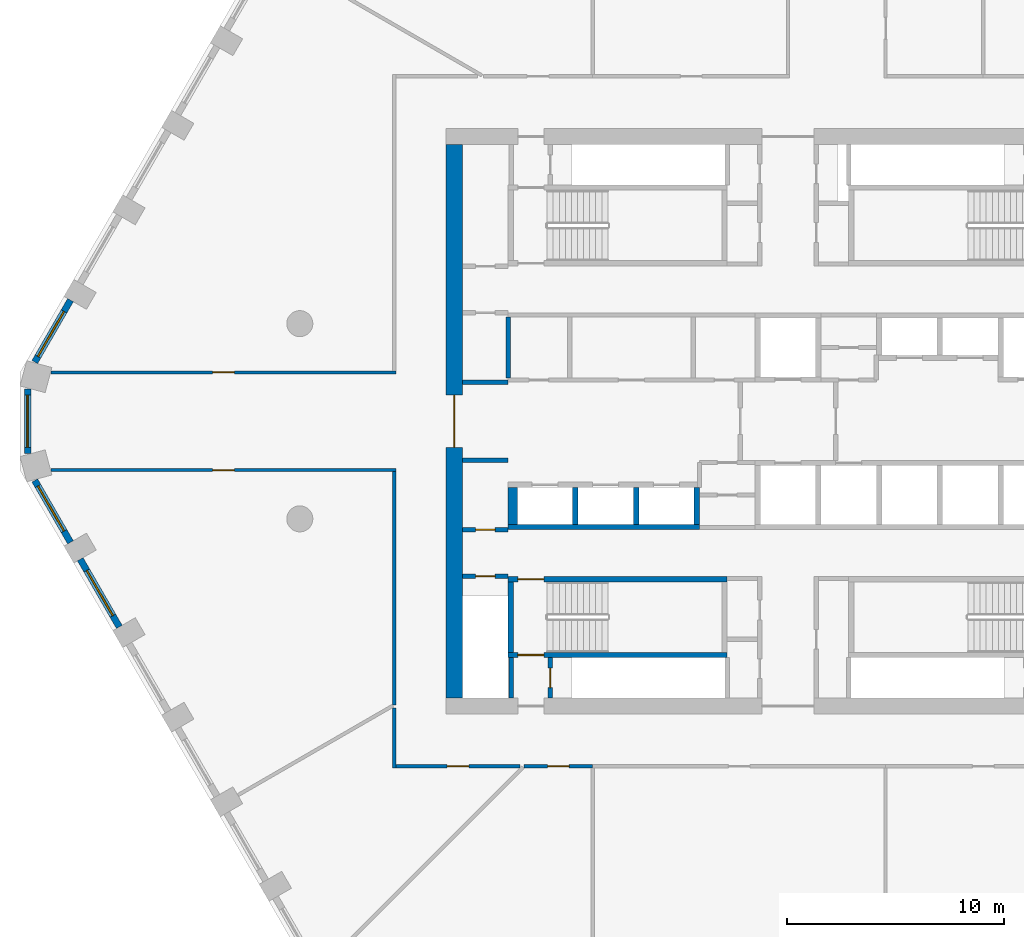
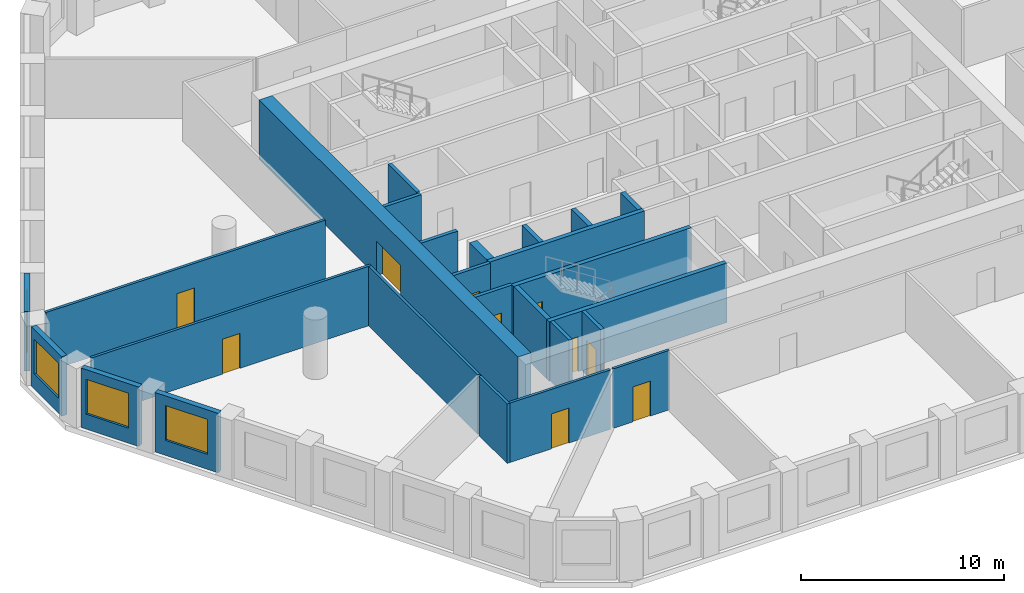
# One storey, part 2 of 9: 26 walls, 10 doors, 4 windows, 14 openings.
"""IFC4 building model written with IfcOpenShell, lengths in metres."""

from ifc_helpers import new_model, si_unit, direction, frame, frame_2d, origin, place, context, subcontext, project, spatial, polyline, rectangle, outline, extrude, material, layer, layer_set, type_object, element, fill, save


model = new_model("IFC4")

# Units and contexts
model_context = context("Model", 3, precision=1e-05, world=origin(), true_north=direction((0.0, 1.0)))
body_context = subcontext(model_context, "Body", "Model", "MODEL_VIEW")
ifc_project = project(units=[si_unit("LENGTHUNIT", "METRE"), si_unit("AREAUNIT", "SQUARE_METRE"), si_unit("VOLUMEUNIT", "CUBIC_METRE"), si_unit("PLANEANGLEUNIT", "RADIAN"), si_unit("MASSUNIT", "GRAM", prefix="KILO")], contexts=[model_context])

# Site, building, storey
site_placement = place(None, origin())
site = spatial("IfcSite", under=ifc_project, at=site_placement, CompositionType="ELEMENT")
building_placement = place(site_placement, origin())
building = spatial("IfcBuilding", under=site, at=building_placement, Name="Dhurran Vertical Campus", CompositionType="ELEMENT")
storey_placement = place(building_placement, frame((0.0, 0.0, 163.800048828125)))
storey = spatial("IfcBuildingStorey", under=building, at=storey_placement, Name="L40", CompositionType="ELEMENT", Elevation=163.800048828125)

# Wall, opening, window
ifc_material_1 = material(Name="Precast concrete C50/60", Category="concrete")
ifc_layer_1 = layer(ifc_material_1, 0.300048828125)
ifc_layer_set_1 = layer_set([ifc_layer_1], Name="Precast concrete C50/60")
wall_type_1 = type_object("IfcWallType", Name="Precast spandrel wall 300", PredefinedType="SOLIDWALL", material=ifc_layer_set_1)
wall_1_placement = place(storey_placement, frame((-33.0693359375, 5.58203125, 0.0), z_axis=(0.0, 0.0, 1.0), x_axis=(-0.499981217486, -0.866036247602, 0.0)))
wall_1 = element("IfcWall", 1, at=wall_1_placement, inside=storey, type_object=wall_type_1, Name="EW1 L40.37", PredefinedType="SOLIDWALL", context=body_context, shape_type="SweptSolid", body=[
    extrude(rectangle(XDim=3.294189453125, YDim=0.300048828125, at=frame_2d((1.64697265625, 0.0))), origin(), (0.0, 0.0, 1.0), 3.574951171875),
])
opening_1_placement = place(wall_1_placement, frame((0.599609375, 0.0, 0.89990234375)))
opening_1 = element("IfcOpeningElement", 2, at=opening_1_placement, cuts=wall_1, Name="Opening WT1", PredefinedType="OPENING", context=body_context, shape_type="SweptSolid", body=[
    extrude(rectangle(XDim=2.39990234375, YDim=2.10009765625, at=frame_2d((1.199951171875, 1.050048828125))), frame((0.0, 0.159912109375, 0.0), z_axis=(0.0, -1.0, 0.0), x_axis=(1.0, 0.0, 0.0)), (0.0, 0.0, 1.0), 0.320068359375),
])
ifc_material_2 = material(Name="Aluminium frame with solar-control glass", Category="aluminium")
window_type = type_object("IfcWindowType", Name="Punched window 2400 x 2100", PartitioningType="SINGLE_PANEL", PredefinedType="WINDOW", material=ifc_material_2)
window_1_placement = place(opening_1_placement, origin())
window_1 = element("IfcWindow", 3, at=window_1_placement, inside=storey, type_object=window_type, Name="WT1 L40.37", OverallHeight=2.10009765625, OverallWidth=2.39990234375, PartitioningType="SINGLE_PANEL", PredefinedType="WINDOW", context=body_context, shape_type="SweptSolid", body=[
    extrude(rectangle(XDim=2.39990234375, YDim=2.10009765625, at=frame_2d((1.199951171875, 1.050048828125))), frame((0.0, 0.030029296875, 0.0), z_axis=(0.0, -1.0, 0.0), x_axis=(1.0, 0.0, 0.0)), (0.0, 0.0, 1.0), 0.06005859375),
])
fill(opening_1, window_1)

wall_2_placement = place(storey_placement, frame((-35.047119140625, 1.49462890625, 0.0), z_axis=(0.0, 0.0, 1.0), x_axis=(0.0, -1.0, 0.0)))
wall_2 = element("IfcWall", 4, at=wall_2_placement, inside=storey, type_object=wall_type_1, Name="EW1 L40.38", PredefinedType="SOLIDWALL", context=body_context, shape_type="SweptSolid", body=[
    extrude(rectangle(XDim=2.9892578125, YDim=0.300048828125, at=frame_2d((1.49462890625, 0.0))), origin(), (0.0, 0.0, 1.0), 3.574951171875),
])
opening_2_placement = place(wall_2_placement, frame((0.294677734375, 0.0, 0.89990234375)))
opening_2 = element("IfcOpeningElement", 5, at=opening_2_placement, cuts=wall_2, Name="Opening WT1", PredefinedType="OPENING", context=body_context, shape_type="SweptSolid", body=[
    extrude(rectangle(XDim=2.39990234375, YDim=2.10009765625, at=frame_2d((1.199951171875, 1.050048828125))), frame((0.0, 0.159912109375, 0.0), z_axis=(0.0, -1.0, 0.0), x_axis=(1.0, 0.0, 0.0)), (0.0, 0.0, 1.0), 0.320068359375),
])
window_2_placement = place(opening_2_placement, origin())
window_2 = element("IfcWindow", 6, at=window_2_placement, inside=storey, type_object=window_type, Name="WT1 L40.38", OverallHeight=2.10009765625, OverallWidth=2.39990234375, PartitioningType="SINGLE_PANEL", PredefinedType="WINDOW", context=body_context, shape_type="SweptSolid", body=[
    extrude(rectangle(XDim=2.39990234375, YDim=2.10009765625, at=frame_2d((1.199951171875, 1.050048828125))), frame((0.0, 0.030029296875, 0.0), z_axis=(0.0, -1.0, 0.0), x_axis=(1.0, 0.0, 0.0)), (0.0, 0.0, 1.0), 0.06005859375),
])
fill(opening_2, window_2)

wall_3_placement = place(storey_placement, frame((-34.71630859375, -2.729248046875, 0.0), z_axis=(0.0, 0.0, 1.0), x_axis=(0.499981217486, -0.866036247602, 0.0)))
wall_3 = element("IfcWall", 7, at=wall_3_placement, inside=storey, type_object=wall_type_1, Name="EW1 L40.39", PredefinedType="SOLIDWALL", context=body_context, shape_type="SweptSolid", body=[
    extrude(rectangle(XDim=3.294189453125, YDim=0.300048828125, at=frame_2d((1.64697265625, 0.0))), origin(), (0.0, 0.0, 1.0), 3.574951171875),
])
opening_3_placement = place(wall_3_placement, frame((0.294677734375, 0.0, 0.89990234375)))
opening_3 = element("IfcOpeningElement", 8, at=opening_3_placement, cuts=wall_3, Name="Opening WT1", PredefinedType="OPENING", context=body_context, shape_type="SweptSolid", body=[
    extrude(rectangle(XDim=2.39990234375, YDim=2.10009765625, at=frame_2d((1.199951171875, 1.050048828125))), frame((0.0, 0.159912109375, 0.0), z_axis=(0.0, -1.0, 0.0), x_axis=(1.0, 0.0, 0.0)), (0.0, 0.0, 1.0), 0.320068359375),
])
window_3_placement = place(opening_3_placement, origin())
window_3 = element("IfcWindow", 9, at=window_3_placement, inside=storey, type_object=window_type, Name="WT1 L40.39", OverallHeight=2.10009765625, OverallWidth=2.39990234375, PartitioningType="SINGLE_PANEL", PredefinedType="WINDOW", context=body_context, shape_type="SweptSolid", body=[
    extrude(rectangle(XDim=2.39990234375, YDim=2.10009765625, at=frame_2d((1.199951171875, 1.050048828125))), frame((0.0, 0.030029296875, 0.0), z_axis=(0.0, -1.0, 0.0), x_axis=(1.0, 0.0, 0.0)), (0.0, 0.0, 1.0), 0.06005859375),
])
fill(opening_3, window_3)

wall_4_placement = place(storey_placement, frame((-32.618896484375, -6.3623046875, 0.0), z_axis=(0.0, 0.0, 1.0), x_axis=(0.500027802648, -0.866009351323, 0.0)))
wall_4 = element("IfcWall", 10, at=wall_4_placement, inside=storey, type_object=wall_type_1, Name="EW1 L40.40", PredefinedType="SOLIDWALL", context=body_context, shape_type="SweptSolid", body=[
    extrude(rectangle(XDim=3.598876953125, YDim=0.300048828125, at=frame_2d((1.79931640625, 0.0))), origin(), (0.0, 0.0, 1.0), 3.574951171875),
])
opening_4_placement = place(wall_4_placement, frame((0.599609375, 0.0, 0.89990234375)))
opening_4 = element("IfcOpeningElement", 11, at=opening_4_placement, cuts=wall_4, Name="Opening WT1", PredefinedType="OPENING", context=body_context, shape_type="SweptSolid", body=[
    extrude(rectangle(XDim=2.39990234375, YDim=2.10009765625, at=frame_2d((1.199951171875, 1.050048828125))), frame((0.0, 0.159912109375, 0.0), z_axis=(0.0, -1.0, 0.0), x_axis=(1.0, 0.0, 0.0)), (0.0, 0.0, 1.0), 0.320068359375),
])
window_4_placement = place(opening_4_placement, origin())
window_4 = element("IfcWindow", 12, at=window_4_placement, inside=storey, type_object=window_type, Name="WT1 L40.40", OverallHeight=2.10009765625, OverallWidth=2.39990234375, PartitioningType="SINGLE_PANEL", PredefinedType="WINDOW", context=body_context, shape_type="SweptSolid", body=[
    extrude(rectangle(XDim=2.39990234375, YDim=2.10009765625, at=frame_2d((1.199951171875, 1.050048828125))), frame((0.0, 0.030029296875, 0.0), z_axis=(0.0, -1.0, 0.0), x_axis=(1.0, 0.0, 0.0)), (0.0, 0.0, 1.0), 0.06005859375),
])
fill(opening_4, window_4)

# Wall, opening, door
ifc_material_3 = material(Name="Concrete C60/75", Category="concrete")
ifc_layer_2 = layer(ifc_material_3, 0.75)
ifc_layer_set_2 = layer_set([ifc_layer_2], Name="Concrete C60/75")
wall_type_2 = type_object("IfcWallType", Name="co-CORE-WALL-C1-750", PredefinedType="SHEAR", material=ifc_layer_set_2)
wall_5_placement = place(storey_placement, frame((-15.375, -12.75, 0.0), z_axis=(0.0, 0.0, 1.0), x_axis=(0.0, 1.0, 0.0)))
wall_5 = element("IfcWall", 13, at=wall_5_placement, inside=storey, type_object=wall_type_2, Name="Core wall W L40", PredefinedType="SHEAR", context=body_context, shape_type="SweptSolid", body=[
    extrude(rectangle(XDim=25.5, YDim=0.75, at=frame_2d((12.75, 0.0))), origin(), (0.0, 0.0, 1.0), 3.574951171875),
])
opening_5_placement = place(wall_5_placement, frame((11.550048828125, 0.0, 0.0)))
opening_5 = element("IfcOpeningElement", 14, at=opening_5_placement, cuts=wall_5, Name="Opening CL1", PredefinedType="OPENING", context=body_context, shape_type="SweptSolid", body=[
    extrude(rectangle(XDim=2.39990234375, YDim=2.10009765625, at=frame_2d((1.199951171875, 1.050048828125))), frame((0.0, 0.385009765625, 0.0), z_axis=(0.0, -1.0, 0.0), x_axis=(1.0, 0.0, 0.0)), (0.0, 0.0, 1.0), 0.77001953125),
])
ifc_material_4 = material(Name="Fire-rated glazed door set")
door_type_1 = type_object("IfcDoorType", Name="co-D-LOBBY 2400x2100", OperationType="DOUBLE_DOOR_DOUBLE_SWING", PredefinedType="DOOR", material=ifc_material_4)
door_1_placement = place(opening_5_placement, origin())
door_1 = element("IfcDoor", 15, at=door_1_placement, inside=storey, type_object=door_type_1, Name="Lift lobby door W L40", OperationType="DOUBLE_DOOR_DOUBLE_SWING", OverallHeight=2.10009765625, OverallWidth=2.39990234375, PredefinedType="DOOR", context=body_context, shape_type="SweptSolid", body=[
    extrude(rectangle(XDim=2.39990234375, YDim=2.10009765625, at=frame_2d((1.199951171875, 1.050048828125))), frame((0.0, 0.02490234375, 0.0), z_axis=(0.0, -1.0, 0.0), x_axis=(1.0, 0.0, 0.0)), (0.0, 0.0, 1.0), 0.050048828125),
])
fill(opening_5, door_1)

# Wall
ifc_material_5 = material(Name="Fire-rated masonry blockwork", Category="masonry")
ifc_layer_3 = layer(ifc_material_5, 0.199951171875)
ifc_layer_set_3 = layer_set([ifc_layer_3], Name="Fire-rated masonry blockwork")
wall_type_3 = type_object("IfcWallType", Name="co-FIRE-PARTITION-200", PredefinedType="PARTITIONING", material=ifc_layer_set_3)
wall_6_placement = place(storey_placement, frame((-12.75, -12.75, 0.0), z_axis=(0.0, 0.0, 1.0), x_axis=(0.0, 1.0, 0.0)))
element("IfcWall", 16, at=wall_6_placement, inside=storey, type_object=wall_type_3, Name="Core partition pass-ST3-o L40", PredefinedType="PARTITIONING", context=body_context, shape_type="SweptSolid", body=[
    extrude(rectangle(XDim=1.85009765625, YDim=0.199951171875, at=frame_2d((0.925048828125, 0.0))), origin(), (0.0, 0.0, 1.0), 3.574951171875),
])

# Wall, opening, door
wall_7_placement = place(storey_placement, frame((-10.949951171875, -12.75, 0.0), z_axis=(0.0, 0.0, 1.0), x_axis=(0.0, 1.0, 0.0)))
wall_7 = element("IfcWall", 17, at=wall_7_placement, inside=storey, type_object=wall_type_3, Name="Core partition pass-ST3-i L40", PredefinedType="PARTITIONING", context=body_context, shape_type="SweptSolid", body=[
    extrude(rectangle(XDim=1.85009765625, YDim=0.199951171875, at=frame_2d((0.925048828125, 0.0))), origin(), (0.0, 0.0, 1.0), 3.574951171875),
])
opening_6_placement = place(wall_7_placement, frame((0.47509765625, 0.0, 0.0)))
opening_6 = element("IfcOpeningElement", 18, at=opening_6_placement, cuts=wall_7, Name="Opening T11-C10", PredefinedType="OPENING", context=body_context, shape_type="SweptSolid", body=[
    extrude(rectangle(XDim=0.89990234375, YDim=2.10009765625, at=frame_2d((0.449951171875, 1.050048828125))), frame((0.0, 0.10986328125, 0.0), z_axis=(0.0, -1.0, 0.0), x_axis=(1.0, 0.0, 0.0)), (0.0, 0.0, 1.0), 0.219970703125),
])
ifc_material_6 = material(Name="Fire-rated timber door set", Category="wood")
door_type_2 = type_object("IfcDoorType", Name="co-D-ROOM 900x2100", OperationType="SINGLE_SWING_LEFT", PredefinedType="DOOR", material=ifc_material_6)
door_2_placement = place(opening_6_placement, origin())
door_2 = element("IfcDoor", 19, at=door_2_placement, inside=storey, type_object=door_type_2, Name="Riser room door L40", OperationType="SINGLE_SWING_LEFT", OverallHeight=2.10009765625, OverallWidth=0.89990234375, PredefinedType="DOOR", context=body_context, shape_type="SweptSolid", body=[
    extrude(rectangle(XDim=0.89990234375, YDim=2.10009765625, at=frame_2d((0.449951171875, 1.050048828125))), frame((0.0, 0.02490234375, 0.0), z_axis=(0.0, -1.0, 0.0), x_axis=(1.0, 0.0, 0.0)), (0.0, 0.0, 1.0), 0.050048828125),
])
fill(opening_6, door_2)

# Wall
wall_8_placement = place(storey_placement, frame((-15.0, 1.800048828125, 0.0), z_axis=(0.0, 0.0, 1.0), x_axis=(1.0, 0.0, 0.0)))
element("IfcWall", 20, at=wall_8_placement, inside=storey, type_object=wall_type_3, Name="Core partition es-NW-l L40", PredefinedType="PARTITIONING", context=body_context, shape_type="SweptSolid", body=[
    extrude(rectangle(XDim=2.10009765625, YDim=0.199951171875, at=frame_2d((1.050048828125, 0.0))), origin(), (0.0, 0.0, 1.0), 3.574951171875),
])

# Wall, opening, door
wall_9_placement = place(storey_placement, frame((-15.0, -7.14990234375, 0.0), z_axis=(0.0, 0.0, 1.0), x_axis=(1.0, 0.0, 0.0)))
wall_9 = element("IfcWall", 21, at=wall_9_placement, inside=storey, type_object=wall_type_3, Name="Core partition en-SW-w L40", PredefinedType="PARTITIONING", context=body_context, shape_type="SweptSolid", body=[
    extrude(rectangle(XDim=2.10009765625, YDim=0.199951171875, at=frame_2d((1.050048828125, 0.0))), origin(), (0.0, 0.0, 1.0), 3.574951171875),
])
opening_7_placement = place(wall_9_placement, frame((0.60009765625, 0.0, 0.0)))
opening_7 = element("IfcOpeningElement", 22, at=opening_7_placement, cuts=wall_9, Name="Opening T11-C16", PredefinedType="OPENING", context=body_context, shape_type="SweptSolid", body=[
    extrude(rectangle(XDim=0.89990234375, YDim=2.10009765625, at=frame_2d((0.449951171875, 1.050048828125))), frame((0.0, 0.10986328125, 0.0), z_axis=(0.0, -1.0, 0.0), x_axis=(1.0, 0.0, 0.0)), (0.0, 0.0, 1.0), 0.219970703125),
])
door_3_placement = place(opening_7_placement, origin())
door_3 = element("IfcDoor", 23, at=door_3_placement, inside=storey, type_object=door_type_2, Name="Electrical riser door L40", OperationType="SINGLE_SWING_LEFT", OverallHeight=2.10009765625, OverallWidth=0.89990234375, PredefinedType="DOOR", context=body_context, shape_type="SweptSolid", body=[
    extrude(rectangle(XDim=0.89990234375, YDim=2.10009765625, at=frame_2d((0.449951171875, 1.050048828125))), frame((0.0, 0.02490234375, 0.0), z_axis=(0.0, -1.0, 0.0), x_axis=(1.0, 0.0, 0.0)), (0.0, 0.0, 1.0), 0.050048828125),
])
fill(opening_7, door_3)

wall_10_placement = place(storey_placement, frame((-15.0, -5.0, 0.0), z_axis=(0.0, 0.0, 1.0), x_axis=(1.0, 0.0, 0.0)))
wall_10 = element("IfcWall", 24, at=wall_10_placement, inside=storey, type_object=wall_type_3, Name="Core partition es-SW-w L40", PredefinedType="PARTITIONING", context=body_context, shape_type="SweptSolid", body=[
    extrude(rectangle(XDim=2.10009765625, YDim=0.199951171875, at=frame_2d((1.050048828125, 0.0))), origin(), (0.0, 0.0, 1.0), 3.574951171875),
])
opening_8_placement = place(wall_10_placement, frame((0.60009765625, 0.0, 0.0)))
opening_8 = element("IfcOpeningElement", 25, at=opening_8_placement, cuts=wall_10, Name="Opening T11-C17", PredefinedType="OPENING", context=body_context, shape_type="SweptSolid", body=[
    extrude(rectangle(XDim=0.89990234375, YDim=2.10009765625, at=frame_2d((0.449951171875, 1.050048828125))), frame((0.0, 0.10986328125, 0.0), z_axis=(0.0, -1.0, 0.0), x_axis=(1.0, 0.0, 0.0)), (0.0, 0.0, 1.0), 0.219970703125),
])
door_4_placement = place(opening_8_placement, origin())
door_4 = element("IfcDoor", 26, at=door_4_placement, inside=storey, type_object=door_type_2, Name="Fire equipment store door L40", OperationType="SINGLE_SWING_LEFT", OverallHeight=2.10009765625, OverallWidth=0.89990234375, PredefinedType="DOOR", context=body_context, shape_type="SweptSolid", body=[
    extrude(rectangle(XDim=0.89990234375, YDim=2.10009765625, at=frame_2d((0.449951171875, 1.050048828125))), frame((0.0, 0.02490234375, 0.0), z_axis=(0.0, -1.0, 0.0), x_axis=(1.0, 0.0, 0.0)), (0.0, 0.0, 1.0), 0.050048828125),
])
fill(opening_8, door_4)

# Walls
wall_11_placement = place(storey_placement, frame((-15.0, -1.800048828125, 0.0), z_axis=(0.0, 0.0, 1.0), x_axis=(1.0, 0.0, 0.0)))
element("IfcWall", 27, at=wall_11_placement, inside=storey, type_object=wall_type_3, Name="Core partition es-SW-l L40", PredefinedType="PARTITIONING", context=body_context, shape_type="SweptSolid", body=[
    extrude(rectangle(XDim=2.10009765625, YDim=0.199951171875, at=frame_2d((1.050048828125, 0.0))), origin(), (0.0, 0.0, 1.0), 3.574951171875),
])
wall_12_placement = place(storey_placement, frame((-12.89990234375, 2.0, 0.0), z_axis=(0.0, 0.0, 1.0), x_axis=(0.0, 1.0, 0.0)))
element("IfcWall", 28, at=wall_12_placement, inside=storey, type_object=wall_type_3, Name="Core partition fr-N0-e0 L40", PredefinedType="PARTITIONING", context=body_context, shape_type="SweptSolid", body=[
    extrude(rectangle(XDim=2.800048828125, YDim=0.199951171875, at=frame_2d((1.39990234375, 0.0))), origin(), (0.0, 0.0, 1.0), 3.574951171875),
])
ifc_material_7 = material(Name="Concrete C50/60", Category="concrete")
ifc_layer_4 = layer(ifc_material_7, 0.25)
ifc_layer_set_4 = layer_set([ifc_layer_4], Name="Concrete C50/60")
wall_type_4 = type_object("IfcWallType", Name="co-SHAFT-MASS-250", PredefinedType="SHEAR", material=ifc_layer_set_4)
wall_13_placement = place(storey_placement, origin())
element("IfcWall", 29, at=wall_13_placement, inside=storey, type_object=wall_type_4, Name="Lift shaft wall S L40 1", PredefinedType="SHEAR", context=body_context, shape_type="SweptSolid", body=[
    extrude(outline(polyline([(-12.89990234375, -5.0), (-4.074951171875, -5.0), (-4.074951171875, -4.75), (-12.89990234375, -4.75), (-12.89990234375, -5.0)])), origin(), (0.0, 0.0, 1.0), 3.574951171875),
])
wall_14_placement = place(storey_placement, origin())
element("IfcWall", 30, at=wall_14_placement, inside=storey, type_object=wall_type_4, Name="Lift shaft wall S L40 3", PredefinedType="SHEAR", context=body_context, shape_type="SweptSolid", body=[
    extrude(outline(polyline([(-12.89990234375, -4.75), (-12.47509765625, -4.75), (-12.47509765625, -3.050048828125), (-12.89990234375, -3.050048828125), (-12.89990234375, -4.75)])), origin(), (0.0, 0.0, 1.0), 3.574951171875),
])
wall_15_placement = place(storey_placement, origin())
element("IfcWall", 31, at=wall_15_placement, inside=storey, type_object=wall_type_4, Name="Lift shaft wall S L40 4", PredefinedType="SHEAR", context=body_context, shape_type="SweptSolid", body=[
    extrude(outline(polyline([(-9.925048828125, -4.75), (-9.675048828125, -4.75), (-9.675048828125, -3.050048828125), (-9.925048828125, -3.050048828125), (-9.925048828125, -4.75)])), origin(), (0.0, 0.0, 1.0), 3.574951171875),
])
wall_16_placement = place(storey_placement, origin())
element("IfcWall", 32, at=wall_16_placement, inside=storey, type_object=wall_type_4, Name="Lift shaft wall S L40 5", PredefinedType="SHEAR", context=body_context, shape_type="SweptSolid", body=[
    extrude(outline(polyline([(-7.125, -4.75), (-6.875, -4.75), (-6.875, -3.050048828125), (-7.125, -3.050048828125), (-7.125, -4.75)])), origin(), (0.0, 0.0, 1.0), 3.574951171875),
])
wall_17_placement = place(storey_placement, origin())
element("IfcWall", 33, at=wall_17_placement, inside=storey, type_object=wall_type_4, Name="Lift shaft wall S L40 6", PredefinedType="SHEAR", context=body_context, shape_type="SweptSolid", body=[
    extrude(outline(polyline([(-4.324951171875, -4.75), (-4.074951171875, -4.75), (-4.074951171875, -3.050048828125), (-4.324951171875, -3.050048828125), (-4.324951171875, -4.75)])), origin(), (0.0, 0.0, 1.0), 3.574951171875),
])

# Wall, opening, door
ifc_material_8 = material(Name="Concrete C40/50", Category="concrete")
ifc_layer_5 = layer(ifc_material_8, 0.25)
ifc_layer_set_5 = layer_set([ifc_layer_5], Name="Concrete C40/50")
wall_type_5 = type_object("IfcWallType", Name="co-STAIR-WALL-250", PredefinedType="SHEAR", material=ifc_layer_set_5)
wall_18_placement = place(storey_placement, frame((-12.89990234375, -10.77490234375, 0.0), z_axis=(0.0, 0.0, 1.0), x_axis=(1.0, 0.0, 0.0)))
wall_18 = element("IfcWall", 34, at=wall_18_placement, inside=storey, type_object=wall_type_5, Name="Stair ST3 enclosure wall L40", PredefinedType="SHEAR", context=body_context, shape_type="SweptSolid", body=[
    extrude(rectangle(XDim=10.099853515625, YDim=0.25, at=frame_2d((5.0498046875, 0.0))), origin(), (0.0, 0.0, 1.0), 3.574951171875),
])
opening_9_placement = place(wall_18_placement, frame((0.449951171875, 0.0, 0.0)))
opening_9 = element("IfcOpeningElement", 35, at=opening_9_placement, cuts=wall_18, Name="Opening XS3", PredefinedType="OPENING", context=body_context, shape_type="SweptSolid", body=[
    extrude(rectangle(XDim=1.199951171875, YDim=2.10009765625, at=frame_2d((0.60009765625, 1.050048828125))), frame((0.0, 0.135009765625, 0.0), z_axis=(0.0, -1.0, 0.0), x_axis=(1.0, 0.0, 0.0)), (0.0, 0.0, 1.0), 0.27001953125),
])
ifc_material_9 = material(Name="Fire-rated steel door set", Category="steel")
door_type_3 = type_object("IfcDoorType", Name="co-D-STAIR-EXIT 1200x2100", OperationType="SINGLE_SWING_RIGHT", PredefinedType="DOOR", material=ifc_material_9)
door_5_placement = place(opening_9_placement, origin())
door_5 = element("IfcDoor", 36, at=door_5_placement, inside=storey, type_object=door_type_3, Name="Stair ST3 discharge door L40", OperationType="SINGLE_SWING_RIGHT", OverallHeight=2.10009765625, OverallWidth=1.199951171875, PredefinedType="DOOR", context=body_context, shape_type="SweptSolid", body=[
    extrude(rectangle(XDim=1.199951171875, YDim=2.10009765625, at=frame_2d((0.60009765625, 1.050048828125))), frame((0.0, 0.02490234375, 0.0), z_axis=(0.0, -1.0, 0.0), x_axis=(1.0, 0.0, 0.0)), (0.0, 0.0, 1.0), 0.050048828125),
])
fill(opening_9, door_5)

wall_19_placement = place(storey_placement, frame((-12.89990234375, -7.27490234375, 0.0), z_axis=(0.0, 0.0, 1.0), x_axis=(1.0, 0.0, 0.0)))
wall_19 = element("IfcWall", 37, at=wall_19_placement, inside=storey, type_object=wall_type_5, Name="Stair ST3 enclosure wall L40", PredefinedType="SHEAR", context=body_context, shape_type="SweptSolid", body=[
    extrude(rectangle(XDim=10.099853515625, YDim=0.25, at=frame_2d((5.0498046875, 0.0))), origin(), (0.0, 0.0, 1.0), 3.574951171875),
])
opening_10_placement = place(wall_19_placement, frame((0.449951171875, 0.0, 0.0)))
opening_10 = element("IfcOpeningElement", 38, at=opening_10_placement, cuts=wall_19, Name="Opening SD3", PredefinedType="OPENING", context=body_context, shape_type="SweptSolid", body=[
    extrude(rectangle(XDim=1.199951171875, YDim=2.10009765625, at=frame_2d((0.60009765625, 1.050048828125))), frame((0.0, 0.135009765625, 0.0), z_axis=(0.0, -1.0, 0.0), x_axis=(1.0, 0.0, 0.0)), (0.0, 0.0, 1.0), 0.27001953125),
])
ifc_material_10 = material(Name="Fire-rated steel door set", Category="steel")
door_type_4 = type_object("IfcDoorType", Name="co-D-STAIR 1200x2100", OperationType="SINGLE_SWING_LEFT", PredefinedType="DOOR", material=ifc_material_10)
door_6_placement = place(opening_10_placement, origin())
door_6 = element("IfcDoor", 39, at=door_6_placement, inside=storey, type_object=door_type_4, Name="Stair ST3 door L40", OperationType="SINGLE_SWING_LEFT", OverallHeight=2.10009765625, OverallWidth=1.199951171875, PredefinedType="DOOR", context=body_context, shape_type="SweptSolid", body=[
    extrude(rectangle(XDim=1.199951171875, YDim=2.10009765625, at=frame_2d((0.60009765625, 1.050048828125))), frame((0.0, 0.02490234375, 0.0), z_axis=(0.0, -1.0, 0.0), x_axis=(1.0, 0.0, 0.0)), (0.0, 0.0, 1.0), 0.050048828125),
])
fill(opening_10, door_6)

# Wall
wall_20_placement = place(storey_placement, frame((-12.77490234375, -10.64990234375, 0.0), z_axis=(0.0, 0.0, 1.0), x_axis=(0.0, 1.0, 0.0)))
element("IfcWall", 40, at=wall_20_placement, inside=storey, type_object=wall_type_5, Name="Stair ST3 enclosure wall L40", PredefinedType="SHEAR", context=body_context, shape_type="SweptSolid", body=[
    extrude(rectangle(XDim=3.25, YDim=0.25, at=frame_2d((1.625, 0.0))), origin(), (0.0, 0.0, 1.0), 3.574951171875),
])

# Wall, opening, door
ifc_material_11 = material(Name="Gypsum board corridor wall on steel studs", Category="steel")
ifc_layer_6 = layer(ifc_material_11, 0.14990234375)
ifc_layer_set_6 = layer_set([ifc_layer_6], Name="Gypsum board corridor wall on steel studs")
wall_type_6 = type_object("IfcWallType", Name="fl-CW-150 corridor wall", PredefinedType="PARTITIONING", material=ifc_layer_set_6)
wall_21_placement = place(storey_placement, frame((-18.074951171875, -2.25, 0.0), z_axis=(0.0, 0.0, 1.0), x_axis=(-1.0, 0.0, 0.0)))
wall_21 = element("IfcWall", 41, at=wall_21_placement, inside=storey, type_object=wall_type_6, Name="Partition 40-01", PredefinedType="PARTITIONING", context=body_context, shape_type="SweptSolid", body=[
    extrude(rectangle(XDim=15.892822265625, YDim=0.14990234375, at=frame_2d((7.9462890625, 0.0))), origin(), (0.0, 0.0, 1.0), 3.574951171875),
])
opening_11_placement = place(wall_21_placement, frame((7.4462890625, 0.0, 0.0)))
opening_11 = element("IfcOpeningElement", 42, at=opening_11_placement, cuts=wall_21, Name="Opening T11.01", PredefinedType="OPENING", context=body_context, shape_type="SweptSolid", body=[
    extrude(rectangle(XDim=1.0, YDim=2.10009765625, at=frame_2d((0.5, 1.050048828125))), frame((0.0, 0.0849609375, 0.0), z_axis=(0.0, -1.0, 0.0), x_axis=(1.0, 0.0, 0.0)), (0.0, 0.0, 1.0), 0.169921875),
])
ifc_material_12 = material(Name="Solid-core timber door set, fire-rated", Category="wood")
door_type_5 = type_object("IfcDoorType", Name="fl-D-1000x2100", OperationType="SINGLE_SWING_LEFT", PredefinedType="DOOR", material=ifc_material_12)
door_7_placement = place(opening_11_placement, origin())
door_7 = element("IfcDoor", 43, at=door_7_placement, inside=storey, type_object=door_type_5, Name="Door 40.01", OperationType="SINGLE_SWING_RIGHT", OverallHeight=2.10009765625, OverallWidth=1.0, PredefinedType="DOOR", context=body_context, shape_type="SweptSolid", body=[
    extrude(rectangle(XDim=1.0, YDim=2.10009765625, at=frame_2d((0.5, 1.050048828125))), frame((0.0, 0.02490234375, 0.0), z_axis=(0.0, -1.0, 0.0), x_axis=(1.0, 0.0, 0.0)), (0.0, 0.0, 1.0), 0.050048828125),
])
fill(opening_11, door_7)

wall_22_placement = place(storey_placement, frame((-33.9677734375, 2.25, 0.0), z_axis=(0.0, 0.0, 1.0), x_axis=(1.0, 0.0, 0.0)))
wall_22 = element("IfcWall", 44, at=wall_22_placement, inside=storey, type_object=wall_type_6, Name="Partition 40-02", PredefinedType="PARTITIONING", context=body_context, shape_type="SweptSolid", body=[
    extrude(rectangle(XDim=15.892822265625, YDim=0.14990234375, at=frame_2d((7.9462890625, 0.0))), origin(), (0.0, 0.0, 1.0), 3.574951171875),
])
opening_12_placement = place(wall_22_placement, frame((7.4462890625, 0.0, 0.0)))
opening_12 = element("IfcOpeningElement", 45, at=opening_12_placement, cuts=wall_22, Name="Opening T11.02", PredefinedType="OPENING", context=body_context, shape_type="SweptSolid", body=[
    extrude(rectangle(XDim=1.0, YDim=2.10009765625, at=frame_2d((0.5, 1.050048828125))), frame((0.0, 0.0849609375, 0.0), z_axis=(0.0, -1.0, 0.0), x_axis=(1.0, 0.0, 0.0)), (0.0, 0.0, 1.0), 0.169921875),
])
door_8_placement = place(opening_12_placement, origin())
door_8 = element("IfcDoor", 46, at=door_8_placement, inside=storey, type_object=door_type_5, Name="Door 40.02", OperationType="SINGLE_SWING_LEFT", OverallHeight=2.10009765625, OverallWidth=1.0, PredefinedType="DOOR", context=body_context, shape_type="SweptSolid", body=[
    extrude(rectangle(XDim=1.0, YDim=2.10009765625, at=frame_2d((0.5, 1.050048828125))), frame((0.0, 0.02490234375, 0.0), z_axis=(0.0, -1.0, 0.0), x_axis=(1.0, 0.0, 0.0)), (0.0, 0.0, 1.0), 0.050048828125),
])
fill(opening_12, door_8)

# Wall
wall_23_placement = place(storey_placement, frame((-18.14990234375, -13.20703125, 0.0), z_axis=(0.0, 0.0, 1.0), x_axis=(0.0, -1.0, 0.0)))
element("IfcWall", 47, at=wall_23_placement, inside=storey, type_object=wall_type_6, Name="Partition 40-06", PredefinedType="PARTITIONING", context=body_context, shape_type="SweptSolid", body=[
    extrude(rectangle(XDim=2.76806640625, YDim=0.14990234375, at=frame_2d((1.384033203125, 0.0))), origin(), (0.0, 0.0, 1.0), 3.574951171875),
])

# Wall, opening, door
wall_24_placement = place(storey_placement, frame((-18.074951171875, -15.89990234375, 0.0), z_axis=(0.0, 0.0, 1.0), x_axis=(1.0, 0.0, 0.0)))
wall_24 = element("IfcWall", 48, at=wall_24_placement, inside=storey, type_object=wall_type_6, Name="Partition 40-07", PredefinedType="PARTITIONING", context=body_context, shape_type="SweptSolid", body=[
    extrude(rectangle(XDim=5.73583984375, YDim=0.14990234375, at=frame_2d((2.867919921875, 0.0))), origin(), (0.0, 0.0, 1.0), 3.574951171875),
])
opening_13_placement = place(wall_24_placement, frame((2.367919921875, 0.0, 0.0)))
opening_13 = element("IfcOpeningElement", 49, at=opening_13_placement, cuts=wall_24, Name="Opening T11.03", PredefinedType="OPENING", context=body_context, shape_type="SweptSolid", body=[
    extrude(rectangle(XDim=1.0, YDim=2.10009765625, at=frame_2d((0.5, 1.050048828125))), frame((0.0, 0.0849609375, 0.0), z_axis=(0.0, -1.0, 0.0), x_axis=(1.0, 0.0, 0.0)), (0.0, 0.0, 1.0), 0.169921875),
])
door_9_placement = place(opening_13_placement, origin())
door_9 = element("IfcDoor", 50, at=door_9_placement, inside=storey, type_object=door_type_5, Name="Door 40.03", OperationType="SINGLE_SWING_RIGHT", OverallHeight=2.10009765625, OverallWidth=1.0, PredefinedType="DOOR", context=body_context, shape_type="SweptSolid", body=[
    extrude(rectangle(XDim=1.0, YDim=2.10009765625, at=frame_2d((0.5, 1.050048828125))), frame((0.0, 0.02490234375, 0.0), z_axis=(0.0, -1.0, 0.0), x_axis=(1.0, 0.0, 0.0)), (0.0, 0.0, 1.0), 0.050048828125),
])
fill(opening_13, door_9)

# Wall
wall_25_placement = place(storey_placement, frame((-18.14990234375, -2.324951171875, 0.0), z_axis=(0.0, 0.0, 1.0), x_axis=(0.0, -1.0, 0.0)))
element("IfcWall", 51, at=wall_25_placement, inside=storey, type_object=wall_type_6, Name="Partition 40-08", PredefinedType="PARTITIONING", context=body_context, shape_type="SweptSolid", body=[
    extrude(rectangle(XDim=10.751953125, YDim=0.14990234375, at=frame_2d((5.3759765625, 0.0))), origin(), (0.0, 0.0, 1.0), 3.574951171875),
])

# Wall, opening, door
wall_26_placement = place(storey_placement, frame((-12.1640625, -15.89990234375, 0.0), z_axis=(0.0, 0.0, 1.0), x_axis=(1.0, 0.0, 0.0)))
wall_26 = element("IfcWall", 52, at=wall_26_placement, inside=storey, type_object=wall_type_6, Name="Partition 40-12", PredefinedType="PARTITIONING", context=body_context, shape_type="SweptSolid", body=[
    extrude(rectangle(XDim=3.1640625, YDim=0.14990234375, at=frame_2d((1.58203125, 0.0))), origin(), (0.0, 0.0, 1.0), 3.574951171875),
])
opening_14_placement = place(wall_26_placement, frame((1.08203125, 0.0, 0.0)))
opening_14 = element("IfcOpeningElement", 53, at=opening_14_placement, cuts=wall_26, Name="Opening T11.05", PredefinedType="OPENING", context=body_context, shape_type="SweptSolid", body=[
    extrude(rectangle(XDim=1.0, YDim=2.10009765625, at=frame_2d((0.5, 1.050048828125))), frame((0.0, 0.0849609375, 0.0), z_axis=(0.0, -1.0, 0.0), x_axis=(1.0, 0.0, 0.0)), (0.0, 0.0, 1.0), 0.169921875),
])
door_10_placement = place(opening_14_placement, origin())
door_10 = element("IfcDoor", 54, at=door_10_placement, inside=storey, type_object=door_type_5, Name="Door 40.05", OperationType="SINGLE_SWING_RIGHT", OverallHeight=2.10009765625, OverallWidth=1.0, PredefinedType="DOOR", context=body_context, shape_type="SweptSolid", body=[
    extrude(rectangle(XDim=1.0, YDim=2.10009765625, at=frame_2d((0.5, 1.050048828125))), frame((0.0, 0.02490234375, 0.0), z_axis=(0.0, -1.0, 0.0), x_axis=(1.0, 0.0, 0.0)), (0.0, 0.0, 1.0), 0.050048828125),
])
fill(opening_14, door_10)

save(model, "model.ifc")
